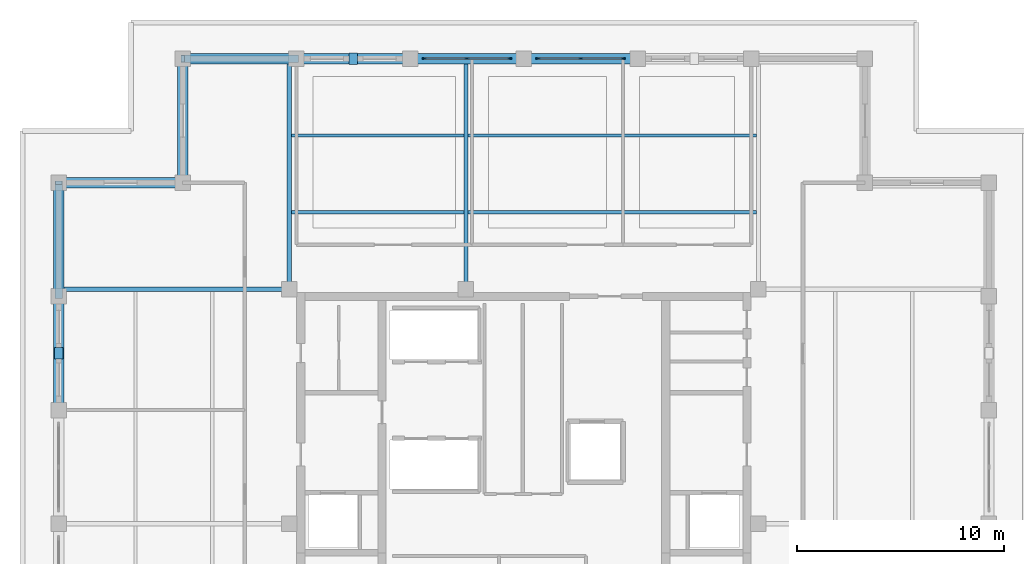
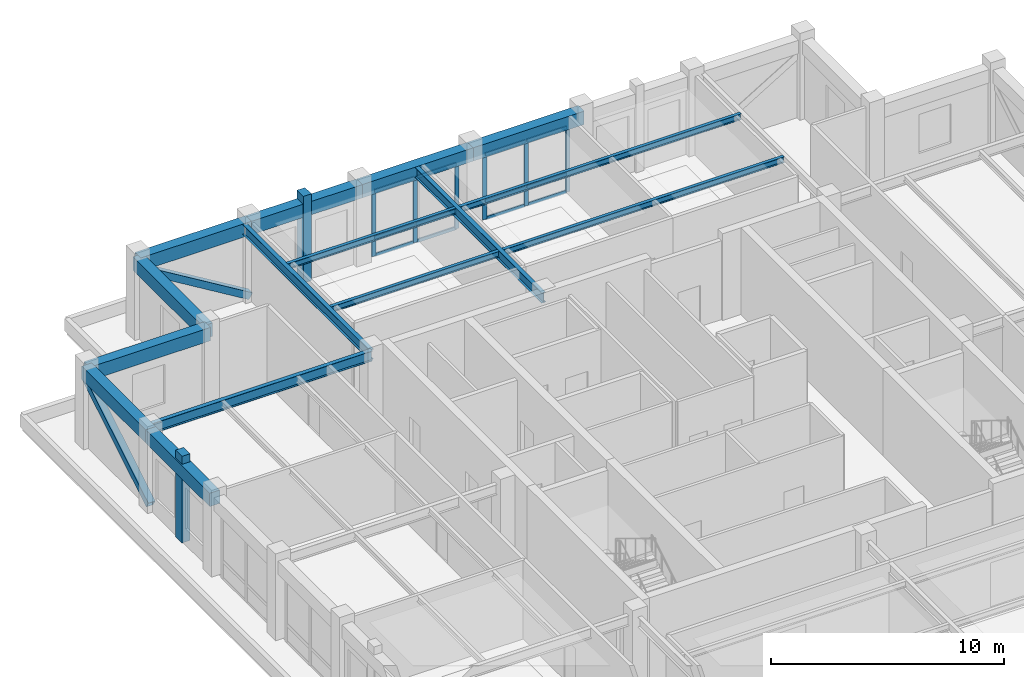
# One storey, part 5 of 13: 22 members, 15 beams, 2 elements without a shape of their own.
"""IFC4 building model written with IfcOpenShell, lengths in metres."""

from ifc_helpers import new_model, si_unit, direction, frame, origin, origin_2d, place, context, subcontext, project, spatial, rectangle, hollow_rectangle, i_section, extrude, material, layer, layer_set, material_profile, profile_set, type_object, element, aggregate, save


model = new_model("IFC4")

# Units and contexts
model_context = context("Model", 3, precision=1e-05, world=origin(), true_north=direction((0.0, 1.0)))
body_context = subcontext(model_context, "Body", "Model", "MODEL_VIEW")
ifc_project = project(units=[si_unit("LENGTHUNIT", "METRE"), si_unit("AREAUNIT", "SQUARE_METRE"), si_unit("VOLUMEUNIT", "CUBIC_METRE"), si_unit("PLANEANGLEUNIT", "RADIAN"), si_unit("MASSUNIT", "GRAM", prefix="KILO")], contexts=[model_context])

# Site, building, storey
site_placement = place(None, origin())
site = spatial("IfcSite", under=ifc_project, at=site_placement, CompositionType="ELEMENT")
building_placement = place(site_placement, origin())
building = spatial("IfcBuilding", under=site, at=building_placement, Name="Nhamokura Convention Tower", CompositionType="ELEMENT")
storey_placement = place(building_placement, frame((0.0, 0.0, 257.60009765625)))
storey = spatial("IfcBuildingStorey", under=building, at=storey_placement, Name="L63", CompositionType="ELEMENT", Elevation=257.60009765625)

# Members
ifc_material_1 = material(Name="Bronze-pigmented precast concrete C45/55", Category="concrete")
ifc_material_profile_1 = material_profile(ifc_material_1, rectangle(XDim=0.39990234375, YDim=0.550048828125, at=origin_2d()))
ifc_profile_set_1 = profile_set([ifc_material_profile_1], Name="Bronze-pigmented precast concrete C45/55")
member_type_1 = type_object("IfcMemberType", Name="BronzePilaster_550", PredefinedType="USERDEFINED", material=ifc_profile_set_1)
for number, where, z_axis, x_axis, name in (
    (1, (23.75, 54.5, 0.0), (0.0, 0.0, 1.0), (1.0, 0.0, 0.0), "L63 Engaged Frame Pilaster NORTH 1"),
    (2, (9.5, 40.25, 0.0), (0.0, 0.0, 1.0), (1.0, 0.0, 0.0), "L63 Engaged Frame Pilaster WEST 4"),
):
    element("IfcMember", number, at=place(storey_placement, frame(where, z_axis=z_axis, x_axis=x_axis)), inside=storey, type_object=member_type_1, Name=name, ObjectType="PILASTER_TRIM", PredefinedType="USERDEFINED", context=body_context, shape_type="SweptSolid", body=[
        extrude(rectangle(XDim=0.39990234375, YDim=0.550048828125, at=origin_2d()), origin(), (0.0, 0.0, 1.0), 4.5498046875),
    ])

# Curtain wall, members
ifc_material_2 = material(Name="Anodised bronze aluminium AA6063-T6", Category="aluminium")
ifc_layer = layer(ifc_material_2, 0.18994140625)
ifc_layer_set = layer_set([ifc_layer], Name="CWSystem_SkyLobby")
curtain_wall_type = type_object("IfcCurtainWallType", Name="CWSystem_SkyLobby", PredefinedType="NOTDEFINED", material=ifc_layer_set)
curtain_wall_1_placement = place(storey_placement, origin())
curtain_wall_1 = element("IfcCurtainWall", 3, at=curtain_wall_1_placement, inside=storey, type_object=curtain_wall_type, Name="L63 Curtain Wall ENV-L63-CW-N2", PredefinedType="NOTDEFINED")
ifc_material_3 = material(Name="Anodised bronze aluminium AA6063-T6", Category="aluminium")
ifc_material_profile_2 = material_profile(ifc_material_3, rectangle(XDim=0.074951171875, YDim=0.199951171875, at=origin_2d()))
ifc_profile_set_2 = profile_set([ifc_material_profile_2], Name="Anodised bronze aluminium AA6063-T6")
member_type_2 = type_object("IfcMemberType", Name="CWMullion_2", PredefinedType="MULLION", material=ifc_profile_set_2)
member_1_placement = place(storey_placement, frame((27.1875, 54.5, 0.0), z_axis=(0.0, 0.0, 1.0), x_axis=(0.0, 1.0, 0.0)))
member_1 = element("IfcMember", 4, at=member_1_placement, type_object=member_type_2, Name="CW-06 mullion 1", PredefinedType="MULLION", context=body_context, shape_type="SweptSolid", body=[
    extrude(rectangle(XDim=0.074951171875, YDim=0.199951171875, at=origin_2d()), origin(), (0.0, 0.0, 1.0), 3.429931640625),
])
member_2_placement = place(storey_placement, frame((29.25, 54.5, 0.0), z_axis=(0.0, 0.0, 1.0), x_axis=(0.0, 1.0, 0.0)))
member_2 = element("IfcMember", 5, at=member_2_placement, type_object=member_type_2, Name="CW-06 mullion 2", PredefinedType="MULLION", context=body_context, shape_type="SweptSolid", body=[
    extrude(rectangle(XDim=0.074951171875, YDim=0.199951171875, at=origin_2d()), origin(), (0.0, 0.0, 1.0), 3.429931640625),
])
member_3_placement = place(storey_placement, frame((31.3125, 54.5, 0.0), z_axis=(0.0, 0.0, 1.0), x_axis=(0.0, 1.0, 0.0)))
member_3 = element("IfcMember", 6, at=member_3_placement, type_object=member_type_2, Name="CW-06 mullion 3", PredefinedType="MULLION", context=body_context, shape_type="SweptSolid", body=[
    extrude(rectangle(XDim=0.074951171875, YDim=0.199951171875, at=origin_2d()), origin(), (0.0, 0.0, 1.0), 3.429931640625),
])

curtain_wall_2_placement = place(storey_placement, origin())
curtain_wall_2 = element("IfcCurtainWall", 7, at=curtain_wall_2_placement, inside=storey, type_object=curtain_wall_type, Name="L63 Curtain Wall ENV-L63-CW-N3", PredefinedType="NOTDEFINED")
member_4_placement = place(storey_placement, frame((32.6875, 54.5, 0.0), z_axis=(0.0, 0.0, 1.0), x_axis=(0.0, 1.0, 0.0)))
member_4 = element("IfcMember", 8, at=member_4_placement, type_object=member_type_2, Name="CW-06 mullion 1", PredefinedType="MULLION", context=body_context, shape_type="SweptSolid", body=[
    extrude(rectangle(XDim=0.074951171875, YDim=0.199951171875, at=origin_2d()), origin(), (0.0, 0.0, 1.0), 3.429931640625),
])
member_5_placement = place(storey_placement, frame((34.75, 54.5, 0.0), z_axis=(0.0, 0.0, 1.0), x_axis=(0.0, 1.0, 0.0)))
member_5 = element("IfcMember", 9, at=member_5_placement, type_object=member_type_2, Name="CW-06 mullion 2", PredefinedType="MULLION", context=body_context, shape_type="SweptSolid", body=[
    extrude(rectangle(XDim=0.074951171875, YDim=0.199951171875, at=origin_2d()), origin(), (0.0, 0.0, 1.0), 3.429931640625),
])
member_6_placement = place(storey_placement, frame((36.8125, 54.5, 0.0), z_axis=(0.0, 0.0, 1.0), x_axis=(0.0, 1.0, 0.0)))
member_6 = element("IfcMember", 10, at=member_6_placement, type_object=member_type_2, Name="CW-06 mullion 3", PredefinedType="MULLION", context=body_context, shape_type="SweptSolid", body=[
    extrude(rectangle(XDim=0.074951171875, YDim=0.199951171875, at=origin_2d()), origin(), (0.0, 0.0, 1.0), 3.429931640625),
])

# Member
ifc_material_4 = material(Name="Anodised bronze aluminium AA6063-T6", Category="aluminium")
ifc_material_profile_3 = material_profile(ifc_material_4, rectangle(XDim=0.074951171875, YDim=0.169921875, at=origin_2d()))
ifc_profile_set_3 = profile_set([ifc_material_profile_3], Name="Anodised bronze aluminium AA6063-T6")
member_type_3 = type_object("IfcMemberType", Name="CWTransom_2", PredefinedType="USERDEFINED", material=ifc_profile_set_3)
member_7_placement = place(storey_placement, frame((27.22509765625, 54.5, 0.037353515625), z_axis=(1.0, 0.0, 0.0), x_axis=(0.0, 1.0, 0.0)))
member_7 = element("IfcMember", 11, at=member_7_placement, type_object=member_type_3, Name="CW-06 transom 1.1", ObjectType="TRANSOM", PredefinedType="USERDEFINED", context=body_context, shape_type="SweptSolid", body=[
    extrude(rectangle(XDim=0.074951171875, YDim=0.169921875, at=origin_2d()), origin(), (0.0, 0.0, 1.0), 1.9873046875),
])

member_8_placement = place(storey_placement, frame((27.22509765625, 54.5, 0.949951171875), z_axis=(1.0, 0.0, 0.0), x_axis=(0.0, 1.0, 0.0)))
member_8 = element("IfcMember", 12, at=member_8_placement, type_object=member_type_3, Name="CW-06 transom 1.2", ObjectType="TRANSOM", PredefinedType="USERDEFINED", context=body_context, shape_type="SweptSolid", body=[
    extrude(rectangle(XDim=0.074951171875, YDim=0.169921875, at=origin_2d()), origin(), (0.0, 0.0, 1.0), 1.9873046875),
])

member_9_placement = place(storey_placement, frame((27.22509765625, 54.5, 3.392333984375), z_axis=(1.0, 0.0, 0.0), x_axis=(0.0, 1.0, 0.0)))
member_9 = element("IfcMember", 13, at=member_9_placement, type_object=member_type_3, Name="CW-06 transom 1.3", ObjectType="TRANSOM", PredefinedType="USERDEFINED", context=body_context, shape_type="SweptSolid", body=[
    extrude(rectangle(XDim=0.074951171875, YDim=0.169921875, at=origin_2d()), origin(), (0.0, 0.0, 1.0), 1.9873046875),
])

member_10_placement = place(storey_placement, frame((29.28759765625, 54.5, 0.037353515625), z_axis=(1.0, 0.0, 0.0), x_axis=(0.0, 1.0, 0.0)))
member_10 = element("IfcMember", 14, at=member_10_placement, type_object=member_type_3, Name="CW-06 transom 2.1", ObjectType="TRANSOM", PredefinedType="USERDEFINED", context=body_context, shape_type="SweptSolid", body=[
    extrude(rectangle(XDim=0.074951171875, YDim=0.169921875, at=origin_2d()), origin(), (0.0, 0.0, 1.0), 1.9873046875),
])

member_11_placement = place(storey_placement, frame((29.28759765625, 54.5, 0.949951171875), z_axis=(1.0, 0.0, 0.0), x_axis=(0.0, 1.0, 0.0)))
member_11 = element("IfcMember", 15, at=member_11_placement, type_object=member_type_3, Name="CW-06 transom 2.2", ObjectType="TRANSOM", PredefinedType="USERDEFINED", context=body_context, shape_type="SweptSolid", body=[
    extrude(rectangle(XDim=0.074951171875, YDim=0.169921875, at=origin_2d()), origin(), (0.0, 0.0, 1.0), 1.9873046875),
])

member_12_placement = place(storey_placement, frame((29.28759765625, 54.5, 3.392333984375), z_axis=(1.0, 0.0, 0.0), x_axis=(0.0, 1.0, 0.0)))
member_12 = element("IfcMember", 16, at=member_12_placement, type_object=member_type_3, Name="CW-06 transom 2.3", ObjectType="TRANSOM", PredefinedType="USERDEFINED", context=body_context, shape_type="SweptSolid", body=[
    extrude(rectangle(XDim=0.074951171875, YDim=0.169921875, at=origin_2d()), origin(), (0.0, 0.0, 1.0), 1.9873046875),
])

aggregate(curtain_wall_1, [member_1, member_2, member_3, member_7, member_8, member_9, member_10, member_11, member_12])

member_13_placement = place(storey_placement, frame((32.72509765625, 54.5, 0.037353515625), z_axis=(1.0, 0.0, 0.0), x_axis=(0.0, 1.0, 0.0)))
member_13 = element("IfcMember", 17, at=member_13_placement, type_object=member_type_3, Name="CW-06 transom 1.1", ObjectType="TRANSOM", PredefinedType="USERDEFINED", context=body_context, shape_type="SweptSolid", body=[
    extrude(rectangle(XDim=0.074951171875, YDim=0.169921875, at=origin_2d()), origin(), (0.0, 0.0, 1.0), 1.9873046875),
])

member_14_placement = place(storey_placement, frame((32.72509765625, 54.5, 0.949951171875), z_axis=(1.0, 0.0, 0.0), x_axis=(0.0, 1.0, 0.0)))
member_14 = element("IfcMember", 18, at=member_14_placement, type_object=member_type_3, Name="CW-06 transom 1.2", ObjectType="TRANSOM", PredefinedType="USERDEFINED", context=body_context, shape_type="SweptSolid", body=[
    extrude(rectangle(XDim=0.074951171875, YDim=0.169921875, at=origin_2d()), origin(), (0.0, 0.0, 1.0), 1.9873046875),
])

member_15_placement = place(storey_placement, frame((32.72509765625, 54.5, 3.392333984375), z_axis=(1.0, 0.0, 0.0), x_axis=(0.0, 1.0, 0.0)))
member_15 = element("IfcMember", 19, at=member_15_placement, type_object=member_type_3, Name="CW-06 transom 1.3", ObjectType="TRANSOM", PredefinedType="USERDEFINED", context=body_context, shape_type="SweptSolid", body=[
    extrude(rectangle(XDim=0.074951171875, YDim=0.169921875, at=origin_2d()), origin(), (0.0, 0.0, 1.0), 1.9873046875),
])

member_16_placement = place(storey_placement, frame((34.78759765625, 54.5, 0.037353515625), z_axis=(1.0, 0.0, 0.0), x_axis=(0.0, 1.0, 0.0)))
member_16 = element("IfcMember", 20, at=member_16_placement, type_object=member_type_3, Name="CW-06 transom 2.1", ObjectType="TRANSOM", PredefinedType="USERDEFINED", context=body_context, shape_type="SweptSolid", body=[
    extrude(rectangle(XDim=0.074951171875, YDim=0.169921875, at=origin_2d()), origin(), (0.0, 0.0, 1.0), 1.9873046875),
])

member_17_placement = place(storey_placement, frame((34.78759765625, 54.5, 0.949951171875), z_axis=(1.0, 0.0, 0.0), x_axis=(0.0, 1.0, 0.0)))
member_17 = element("IfcMember", 21, at=member_17_placement, type_object=member_type_3, Name="CW-06 transom 2.2", ObjectType="TRANSOM", PredefinedType="USERDEFINED", context=body_context, shape_type="SweptSolid", body=[
    extrude(rectangle(XDim=0.074951171875, YDim=0.169921875, at=origin_2d()), origin(), (0.0, 0.0, 1.0), 1.9873046875),
])

member_18_placement = place(storey_placement, frame((34.78759765625, 54.5, 3.392333984375), z_axis=(1.0, 0.0, 0.0), x_axis=(0.0, 1.0, 0.0)))
member_18 = element("IfcMember", 22, at=member_18_placement, type_object=member_type_3, Name="CW-06 transom 2.3", ObjectType="TRANSOM", PredefinedType="USERDEFINED", context=body_context, shape_type="SweptSolid", body=[
    extrude(rectangle(XDim=0.074951171875, YDim=0.169921875, at=origin_2d()), origin(), (0.0, 0.0, 1.0), 1.9873046875),
])

aggregate(curtain_wall_2, [member_4, member_5, member_6, member_13, member_14, member_15, member_16, member_17, member_18])

# Beams
ifc_material_5 = material(Name="Steel ASTM A992 Gr 50", Category="steel")
ifc_material_profile_4 = material_profile(ifc_material_5, i_section(OverallWidth=0.166015625, OverallDepth=0.31298828125, WebThickness=0.006591796875, FlangeThickness=0.01123046875, at=origin_2d()))
ifc_profile_set_4 = profile_set([ifc_material_profile_4], Name="Steel ASTM A992 Gr 50")
beam_type_1 = type_object("IfcBeamType", Name="FloorJoist_W310X45", PredefinedType="JOIST", material=ifc_profile_set_4)
beam_1_placement = place(storey_placement, frame((20.75244140625, 47.066650390625, 3.973388671875), z_axis=(1.0, 0.0, 0.0), x_axis=(0.0, 1.0, 0.0)))
element("IfcBeam", 23, at=beam_1_placement, inside=storey, type_object=beam_type_1, Name="L63 Composite Floor Joist N1A", PredefinedType="JOIST", context=body_context, shape_type="SweptSolid", body=[
    extrude(i_section(OverallWidth=0.166015625, OverallDepth=0.31298828125, WebThickness=0.006591796875, FlangeThickness=0.01123046875, at=origin_2d()), origin(), (0.0, 0.0, 1.0), 8.344970703125),
])
beam_2_placement = place(storey_placement, frame((29.302490234375, 47.066650390625, 3.973388671875), z_axis=(1.0, 0.0, 0.0), x_axis=(0.0, 1.0, 0.0)))
element("IfcBeam", 24, at=beam_2_placement, inside=storey, type_object=beam_type_1, Name="L63 Composite Floor Joist N1B", PredefinedType="JOIST", context=body_context, shape_type="SweptSolid", body=[
    extrude(i_section(OverallWidth=0.166015625, OverallDepth=0.31298828125, WebThickness=0.006591796875, FlangeThickness=0.01123046875, at=origin_2d()), origin(), (0.0, 0.0, 1.0), 13.945068359375),
])
beam_3_placement = place(storey_placement, frame((20.75244140625, 50.783203125, 3.973388671875), z_axis=(1.0, 0.0, 0.0), x_axis=(0.0, 1.0, 0.0)))
element("IfcBeam", 25, at=beam_3_placement, inside=storey, type_object=beam_type_1, Name="L63 Composite Floor Joist N2A", PredefinedType="JOIST", context=body_context, shape_type="SweptSolid", body=[
    extrude(i_section(OverallWidth=0.166015625, OverallDepth=0.31298828125, WebThickness=0.006591796875, FlangeThickness=0.01123046875, at=origin_2d()), origin(), (0.0, 0.0, 1.0), 8.344970703125),
])
beam_4_placement = place(storey_placement, frame((29.302490234375, 50.783203125, 3.973388671875), z_axis=(1.0, 0.0, 0.0), x_axis=(0.0, 1.0, 0.0)))
element("IfcBeam", 26, at=beam_4_placement, inside=storey, type_object=beam_type_1, Name="L63 Composite Floor Joist N2B", PredefinedType="JOIST", context=body_context, shape_type="SweptSolid", body=[
    extrude(i_section(OverallWidth=0.166015625, OverallDepth=0.31298828125, WebThickness=0.006591796875, FlangeThickness=0.01123046875, at=origin_2d()), origin(), (0.0, 0.0, 1.0), 13.945068359375),
])
ifc_material_6 = material(Name="Steel ASTM A992 Gr 50", Category="steel")
ifc_material_profile_5 = material_profile(ifc_material_6, i_section(OverallWidth=0.208984375, OverallDepth=0.532958984375, WebThickness=0.01025390625, FlangeThickness=0.015625, at=origin_2d()))
ifc_profile_set_5 = profile_set([ifc_material_profile_5], Name="Steel ASTM A992 Gr 50")
beam_type_2 = type_object("IfcBeamType", Name="PrimaryGirder_W530X92", PredefinedType="BEAM", material=ifc_profile_set_5)
for number, where, z_axis, x_axis, name in (
    (27, (20.64990234375, 43.35009765625, 3.86328125), (0.0, 1.0, 0.0), (-1.0, 0.0, 0.0), "L63 Primary Floor Girder PG-N1"),
    (28, (29.199951171875, 43.35009765625, 3.86328125), (0.0, 1.0, 0.0), (-1.0, 0.0, 0.0), "L63 Primary Floor Girder PG-N2"),
    (29, (9.5, 43.35009765625, 3.86328125), (1.0, 0.0, 0.0), (0.0, 1.0, 0.0), "L63 Primary Floor Girder PG-W3"),
):
    element("IfcBeam", number, at=place(storey_placement, frame(where, z_axis=z_axis, x_axis=x_axis)), inside=storey, type_object=beam_type_2, Name=name, PredefinedType="BEAM", context=body_context, shape_type="SweptSolid", body=[
        extrude(i_section(OverallWidth=0.208984375, OverallDepth=0.532958984375, WebThickness=0.01025390625, FlangeThickness=0.015625, at=origin_2d()), origin(), (0.0, 0.0, 1.0), 11.14990234375),
    ])

# Members
ifc_material_7 = material(Name="Steel ASTM A572 Gr 50", Category="steel")
ifc_material_profile_6 = material_profile(ifc_material_7, hollow_rectangle(XDim=0.35009765625, YDim=0.35009765625, WallThickness=0.01611328125, at=origin_2d()))
ifc_profile_set_6 = profile_set([ifc_material_profile_6], Name="Steel ASTM A572 Gr 50")
member_type_4 = type_object("IfcMemberType", Name="TubeBrace_HSS350", PredefinedType="BRACE", material=ifc_profile_set_6)
for number, where, z_axis, x_axis, name in (
    (30, (21.0, 54.5, 0.14990234375), (-0.855422163268, 0.0, 0.517931387916), (0.0, -1.0, 0.0), "L63 Perimeter Tube Brace NORTH Bay 0"),
    (31, (9.5, 43.0, 0.14990234375), (0.0, 0.855422163268, 0.517931387916), (-1.0, 0.0, 0.0), "L63 Perimeter Tube Brace WEST Bay 5"),
):
    element("IfcMember", number, at=place(storey_placement, frame(where, z_axis=z_axis, x_axis=x_axis)), inside=storey, type_object=member_type_4, Name=name, PredefinedType="BRACE", context=body_context, shape_type="SweptSolid", body=[
        extrude(hollow_rectangle(XDim=0.35009765625, YDim=0.35009765625, WallThickness=0.01611328125, at=origin_2d()), origin(), (0.0, 0.0, 1.0), 6.4296875),
    ])

# Beams
ifc_material_8 = material(Name="Concrete C50/60", Category="concrete")
ifc_material_profile_7 = material_profile(ifc_material_8, rectangle(XDim=0.5, YDim=0.699951171875, at=origin_2d()))
ifc_profile_set_7 = profile_set([ifc_material_profile_7], Name="Concrete C50/60")
beam_type_3 = type_object("IfcBeamType", Name="TubeSpandrel_700", PredefinedType="SPANDREL", material=ifc_profile_set_7)
for number, where, z_axis, x_axis, name in (
    (32, (15.5, 54.5, 3.77978515625), (1.0, 0.0, 0.0), (0.0, 1.0, 0.0), "L63 Perimeter Spandrel NORTH 1"),
    (33, (21.0, 54.5, 3.77978515625), (1.0, 0.0, 0.0), (0.0, 1.0, 0.0), "L63 Perimeter Spandrel NORTH 2"),
    (34, (26.5, 54.5, 3.77978515625), (1.0, 0.0, 0.0), (0.0, 1.0, 0.0), "L63 Perimeter Spandrel NORTH 3"),
    (35, (32.0, 54.5, 3.77978515625), (1.0, 0.0, 0.0), (0.0, 1.0, 0.0), "L63 Perimeter Spandrel NORTH 4"),
    (36, (9.5, 37.5, 3.77978515625), (0.0, 1.0, 0.0), (-1.0, 0.0, 0.0), "L63 Perimeter Spandrel WEST 5"),
    (37, (9.5, 43.0, 3.77978515625), (0.0, 1.0, 0.0), (-1.0, 0.0, 0.0), "L63 Perimeter Spandrel WEST 6"),
):
    element("IfcBeam", number, at=place(storey_placement, frame(where, z_axis=z_axis, x_axis=x_axis)), inside=storey, type_object=beam_type_3, Name=name, PredefinedType="SPANDREL", context=body_context, shape_type="SweptSolid", body=[
        extrude(rectangle(XDim=0.5, YDim=0.699951171875, at=origin_2d()), origin(), (0.0, 0.0, 1.0), 5.5),
    ])
for number, where, z_axis, x_axis, name in (
    (38, (15.5, 54.5, 3.77978515625), (0.0, -1.0, 0.0), (1.0, 0.0, 0.0), "L63 Notch Spandrel NW1"),
    (39, (15.5, 48.5, 3.77978515625), (-1.0, 0.0, 0.0), (0.0, -1.0, 0.0), "L63 Notch Spandrel NW2"),
):
    element("IfcBeam", number, at=place(storey_placement, frame(where, z_axis=z_axis, x_axis=x_axis)), inside=storey, type_object=beam_type_3, Name=name, PredefinedType="SPANDREL", context=body_context, shape_type="SweptSolid", body=[
        extrude(rectangle(XDim=0.5, YDim=0.699951171875, at=origin_2d()), origin(), (0.0, 0.0, 1.0), 6.0),
    ])

save(model, "model.ifc")
